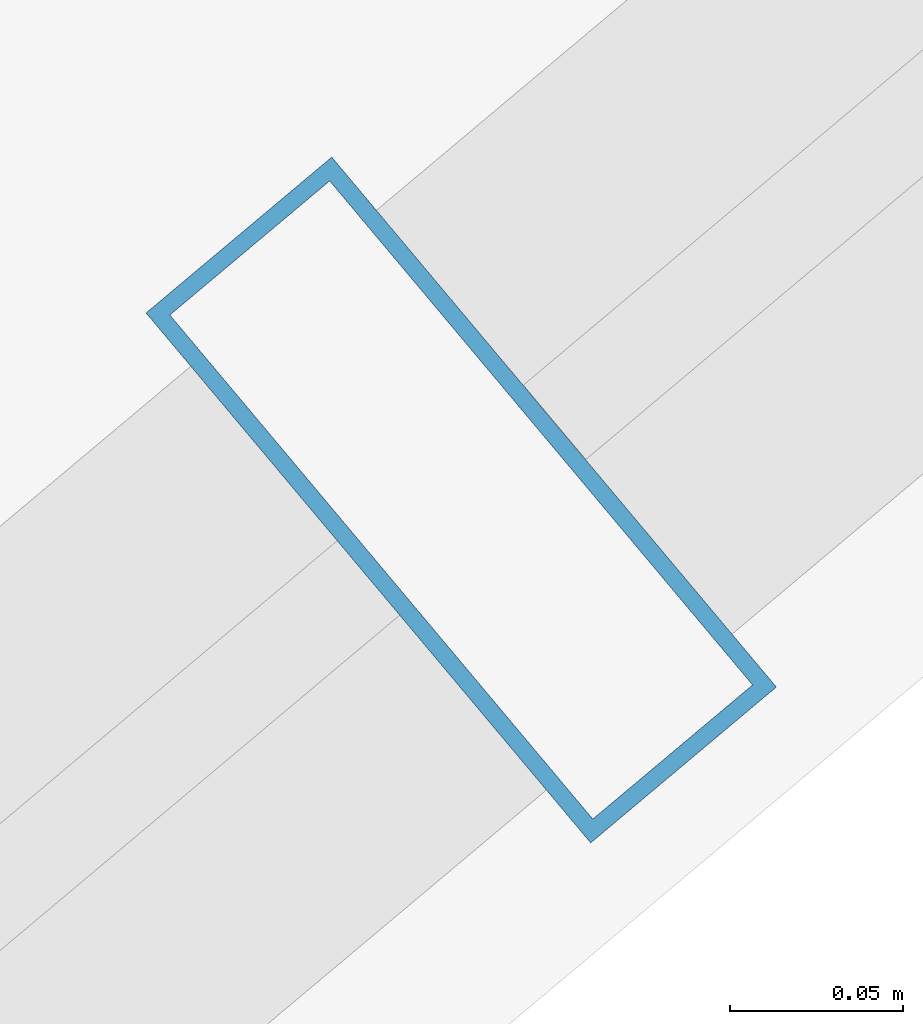
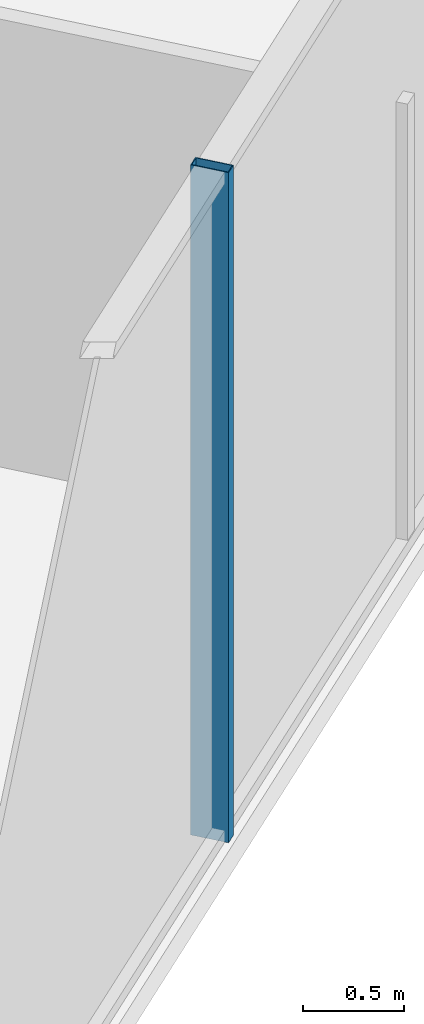
# One storey, part 16 of 31: 1 member, 1 element without a shape of its own.
"""IFC4 building model written with IfcOpenShell, lengths in metres."""

from ifc_helpers import new_model, si_unit, direction, frame, origin, origin_2d, place, context, subcontext, project, spatial, hollow_rectangle, extrude, material, layer, layer_set, material_profile, profile_set, type_object, element, aggregate, save


model = new_model("IFC4")

# Units and contexts
model_context = context("Model", 3, precision=1e-05, world=origin(), true_north=direction((0.0, 1.0)))
body_context = subcontext(model_context, "Body", "Model", "MODEL_VIEW")
ifc_project = project(units=[si_unit("LENGTHUNIT", "METRE"), si_unit("AREAUNIT", "SQUARE_METRE"), si_unit("VOLUMEUNIT", "CUBIC_METRE"), si_unit("PLANEANGLEUNIT", "RADIAN"), si_unit("MASSUNIT", "GRAM", prefix="KILO")], contexts=[model_context])

# Site, building, storey
site_placement = place(None, origin())
site = spatial("IfcSite", under=ifc_project, at=site_placement, CompositionType="ELEMENT")
building_placement = place(site_placement, origin())
building = spatial("IfcBuilding", under=site, at=building_placement, Name="Tarsis Ring Headquarters", CompositionType="ELEMENT")
storey_placement = place(building_placement, frame((0.0, 0.0, 390.199951171875)))
storey = spatial("IfcBuildingStorey", under=building, at=storey_placement, Name="L92", CompositionType="ELEMENT", Elevation=390.199951171875)

# Curtain wall, member
ifc_material_1 = material(Name="Aluminium curtain wall", Category="aluminium")
ifc_layer = layer(ifc_material_1, 0.199951171875)
ifc_layer_set = layer_set([ifc_layer], Name="Curtain wall executive tip")
curtain_wall_type = type_object("IfcCurtainWallType", Name="Curtain wall executive tip", PredefinedType="NOTDEFINED", material=ifc_layer_set)
curtain_wall_placement = place(storey_placement, origin())
curtain_wall = element("IfcCurtainWall", 1, at=curtain_wall_placement, inside=storey, type_object=curtain_wall_type, Name="Curtain wall L92-11", PredefinedType="NOTDEFINED")
ifc_material_2 = material(Name="Aluminium mullion", Category="aluminium")
ifc_material_profile = material_profile(ifc_material_2, hollow_rectangle(XDim=0.199951171875, YDim=0.070068359375, WallThickness=0.0048828125, at=origin_2d()), Name="RHS 200x70x5")
ifc_profile_set = profile_set([ifc_material_profile], Name="Aluminium mullion")
member_type = type_object("IfcMemberType", Name="Curtain wall mullion executive tip RHS 200x70x5", PredefinedType="MULLION", material=ifc_profile_set)
member_placement = place(storey_placement, frame((20.48876953125, -24.417724609375, 0.0), z_axis=(0.0, 0.0, 1.0), x_axis=(-0.642787677018, 0.766044386621, 0.0)))
member = element("IfcMember", 2, at=member_placement, type_object=member_type, Name="CW-E mullion 3", PredefinedType="MULLION", context=body_context, shape_type="SweptSolid", body=[
    extrude(hollow_rectangle(XDim=0.199951171875, YDim=0.070068359375, WallThickness=0.0048828125, at=origin_2d()), origin(), (0.0, 0.0, 1.0), 4.0400390625),
])
aggregate(curtain_wall, [member])

save(model, "model.ifc")
